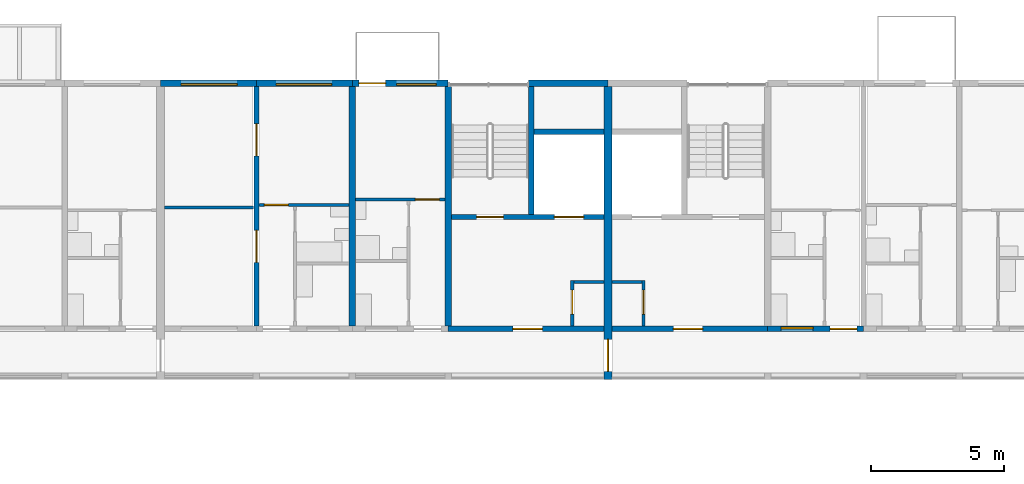
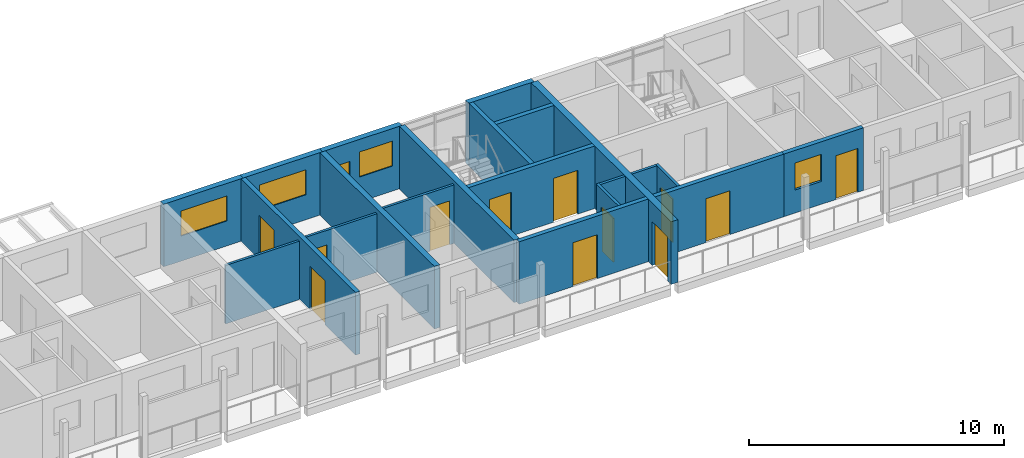
# One storey, part 64 of 122: 21 walls, 13 doors, 4 windows, 17 openings.
"""IFC4 building model written with IfcOpenShell, lengths in metres."""

from ifc_helpers import new_model, si_unit, direction, frame, frame_2d, origin, place, context, subcontext, project, spatial, rectangle, extrude, material, layer, layer_set, type_object, element, fill, save


model = new_model("IFC4")

# Units and contexts
model_context = context("Model", 3, precision=1e-05, world=origin(), true_north=direction((0.0, 1.0)))
body_context = subcontext(model_context, "Body", "Model", "MODEL_VIEW")
ifc_project = project(units=[si_unit("LENGTHUNIT", "METRE"), si_unit("AREAUNIT", "SQUARE_METRE"), si_unit("VOLUMEUNIT", "CUBIC_METRE"), si_unit("PLANEANGLEUNIT", "RADIAN"), si_unit("MASSUNIT", "GRAM", prefix="KILO")], contexts=[model_context])

# Site, building, storey
site_placement = place(None, origin())
site = spatial("IfcSite", under=ifc_project, at=site_placement, CompositionType="ELEMENT")
building_placement = place(site_placement, origin())
building = spatial("IfcBuilding", under=site, at=building_placement, Name="Ridgestep Commons", CompositionType="ELEMENT")
storey_placement = place(building_placement, frame((0.0, 0.0, 3.0)))
storey = spatial("IfcBuildingStorey", under=building, at=storey_placement, Name="L01", CompositionType="ELEMENT", Elevation=3.0)

# Wall
ifc_material_1 = material(Name="Concrete C30/37", Category="concrete")
ifc_layer_1 = layer(ifc_material_1, 0.25)
ifc_layer_set_1 = layer_set([ifc_layer_1], Name="Core cross wall 250")
wall_type_1 = type_object("IfcWallType", Name="Core cross wall 250", PredefinedType="SHEAR", material=ifc_layer_set_1)
wall_1_placement = place(storey_placement, frame((73.199951171875, 68.0, 0.0), z_axis=(0.0, 0.0, 1.0), x_axis=(0.0, 1.0, 0.0)))
element("IfcWall", 1, at=wall_1_placement, inside=storey, type_object=wall_type_1, Name="Cross wall B-01-0732", PredefinedType="SHEAR", context=body_context, shape_type="SweptSolid", body=[
    extrude(rectangle(XDim=9.0, YDim=0.25, at=frame_2d((4.5, 0.0))), origin(), (0.0, 0.0, 1.0), 3.0),
])

# Wall, opening, door
ifc_material_2 = material(Name="Concrete C30/37", Category="concrete")
ifc_layer_2 = layer(ifc_material_2, 0.199951171875)
ifc_layer_set_2 = layer_set([ifc_layer_2], Name="Core south wall 200")
wall_type_2 = type_object("IfcWallType", Name="Core south wall 200", PredefinedType="SHEAR", material=ifc_layer_set_2)
wall_2_placement = place(storey_placement, frame((73.199951171875, 67.89990234375, 0.0), z_axis=(0.0, 0.0, 1.0), x_axis=(1.0, 0.0, 0.0)))
wall_2 = element("IfcWall", 2, at=wall_2_placement, inside=storey, type_object=wall_type_2, Name="Core south wall B4C L01", PredefinedType="SHEAR", context=body_context, shape_type="SweptSolid", body=[
    extrude(rectangle(XDim=5.85009765625, YDim=0.199951171875, at=frame_2d((2.925048828125, 0.0))), origin(), (0.0, 0.0, 1.0), 3.0),
])
opening_1_placement = place(wall_2_placement, frame((2.4375, 0.0, 0.0)))
opening_1 = element("IfcOpeningElement", 3, at=opening_1_placement, cuts=wall_2, Name="Opening B4C/01/1", PredefinedType="OPENING", context=body_context, shape_type="SweptSolid", body=[
    extrude(rectangle(XDim=1.10009765625, YDim=2.10009765625, at=frame_2d((0.550048828125, 1.050048828125))), frame((0.0, 0.10986328125, 0.0), z_axis=(0.0, -1.0, 0.0), x_axis=(1.0, 0.0, 0.0)), (0.0, 0.0, 1.0), 0.219970703125),
])
ifc_material_3 = material(Name="Steel fire door", Category="steel")
door_type_1 = type_object("IfcDoorType", Name="Lobby door 1100 x 2100 FD60", OperationType="NOTDEFINED", PredefinedType="DOOR", material=ifc_material_3)
door_1_placement = place(opening_1_placement, origin())
door_1 = element("IfcDoor", 4, at=door_1_placement, inside=storey, type_object=door_type_1, Name="Lobby door B4C/01/1", OperationType="SINGLE_SWING_LEFT", OverallHeight=2.10009765625, OverallWidth=1.10009765625, PredefinedType="DOOR", context=body_context, shape_type="SweptSolid", body=[
    extrude(rectangle(XDim=1.10009765625, YDim=2.10009765625, at=frame_2d((0.550048828125, 1.050048828125))), frame((0.0, 0.02490234375, 0.0), z_axis=(0.0, -1.0, 0.0), x_axis=(1.0, 0.0, 0.0)), (0.0, 0.0, 1.0), 0.050048828125),
])
fill(opening_1, door_1)

wall_3_placement = place(storey_placement, frame((79.35009765625, 67.89990234375, 0.0), z_axis=(0.0, 0.0, 1.0), x_axis=(1.0, 0.0, 0.0)))
wall_3 = element("IfcWall", 5, at=wall_3_placement, inside=storey, type_object=wall_type_2, Name="Core south wall B5C L01", PredefinedType="SHEAR", context=body_context, shape_type="SweptSolid", body=[
    extrude(rectangle(XDim=5.849853515625, YDim=0.199951171875, at=frame_2d((2.9248046875, 0.0))), origin(), (0.0, 0.0, 1.0), 3.0),
])
opening_2_placement = place(wall_3_placement, frame((2.3125, 0.0, 0.0)))
opening_2 = element("IfcOpeningElement", 6, at=opening_2_placement, cuts=wall_3, Name="Opening B5C/01/1", PredefinedType="OPENING", context=body_context, shape_type="SweptSolid", body=[
    extrude(rectangle(XDim=1.10009765625, YDim=2.10009765625, at=frame_2d((0.550048828125, 1.050048828125))), frame((0.0, 0.10986328125, 0.0), z_axis=(0.0, -1.0, 0.0), x_axis=(1.0, 0.0, 0.0)), (0.0, 0.0, 1.0), 0.219970703125),
])
door_2_placement = place(opening_2_placement, origin())
door_2 = element("IfcDoor", 7, at=door_2_placement, inside=storey, type_object=door_type_1, Name="Lobby door B5C/01/1", OperationType="SINGLE_SWING_LEFT", OverallHeight=2.10009765625, OverallWidth=1.10009765625, PredefinedType="DOOR", context=body_context, shape_type="SweptSolid", body=[
    extrude(rectangle(XDim=1.10009765625, YDim=2.10009765625, at=frame_2d((0.550048828125, 1.050048828125))), frame((0.0, 0.02490234375, 0.0), z_axis=(0.0, -1.0, 0.0), x_axis=(1.0, 0.0, 0.0)), (0.0, 0.0, 1.0), 0.050048828125),
])
fill(opening_2, door_2)

ifc_material_4 = material(Name="Concrete C30/37", Category="concrete")
ifc_layer_3 = layer(ifc_material_4, 0.1201171875)
ifc_layer_set_3 = layer_set([ifc_layer_3], Name="Core wall 120")
wall_type_3 = type_object("IfcWallType", Name="Core wall 120", PredefinedType="SHEAR", material=ifc_layer_set_3)
wall_4_placement = place(storey_placement, frame((77.860107421875, 68.0, 0.0), z_axis=(0.0, 0.0, 1.0), x_axis=(0.0, 1.0, 0.0)))
wall_4 = element("IfcWall", 8, at=wall_4_placement, inside=storey, type_object=wall_type_3, Name="Core riser w wall B4C L01", PredefinedType="SHEAR", context=body_context, shape_type="SweptSolid", body=[
    extrude(rectangle(XDim=1.719970703125, YDim=0.1201171875, at=frame_2d((0.85986328125, 0.0))), origin(), (0.0, 0.0, 1.0), 3.0),
])
opening_3_placement = place(wall_4_placement, frame((0.449951171875, 0.0, 0.0)))
opening_3 = element("IfcOpeningElement", 9, at=opening_3_placement, cuts=wall_4, Name="Opening B4C/01/4", PredefinedType="OPENING", context=body_context, shape_type="SweptSolid", body=[
    extrude(rectangle(XDim=0.89990234375, YDim=2.10009765625, at=frame_2d((0.449951171875, 1.050048828125))), frame((0.0, 0.070068359375, 0.0), z_axis=(0.0, -1.0, 0.0), x_axis=(1.0, 0.0, 0.0)), (0.0, 0.0, 1.0), 0.14013671875),
])
ifc_material_5 = material(Name="Steel fire door", Category="steel")
door_type_2 = type_object("IfcDoorType", Name="Riser door 900 x 2100 FD60", OperationType="NOTDEFINED", PredefinedType="DOOR", material=ifc_material_5)
door_3_placement = place(opening_3_placement, origin())
door_3 = element("IfcDoor", 10, at=door_3_placement, inside=storey, type_object=door_type_2, Name="Riser door B4C/01/4", OperationType="SINGLE_SWING_LEFT", OverallHeight=2.10009765625, OverallWidth=0.89990234375, PredefinedType="DOOR", context=body_context, shape_type="SweptSolid", body=[
    extrude(rectangle(XDim=0.89990234375, YDim=2.10009765625, at=frame_2d((0.449951171875, 1.050048828125))), frame((0.0, 0.02490234375, 0.0), z_axis=(0.0, -1.0, 0.0), x_axis=(1.0, 0.0, 0.0)), (0.0, 0.0, 1.0), 0.050048828125),
])
fill(opening_3, door_3)

# Wall
wall_5_placement = place(storey_placement, frame((77.919921875, 69.659912109375, 0.0), z_axis=(0.0, 0.0, 1.0), x_axis=(1.0, 0.0, 0.0)))
element("IfcWall", 11, at=wall_5_placement, inside=storey, type_object=wall_type_3, Name="Core riser n wall B4C L01", PredefinedType="SHEAR", context=body_context, shape_type="SweptSolid", body=[
    extrude(rectangle(XDim=1.130126953125, YDim=0.1201171875, at=frame_2d((0.56494140625, 0.0))), origin(), (0.0, 0.0, 1.0), 3.0),
])

# Wall, opening, door
wall_6_placement = place(storey_placement, frame((80.5400390625, 68.0, 0.0), z_axis=(0.0, 0.0, 1.0), x_axis=(0.0, 1.0, 0.0)))
wall_6 = element("IfcWall", 12, at=wall_6_placement, inside=storey, type_object=wall_type_3, Name="Core riser w wall B5C L01", PredefinedType="SHEAR", context=body_context, shape_type="SweptSolid", body=[
    extrude(rectangle(XDim=1.719970703125, YDim=0.1201171875, at=frame_2d((0.85986328125, 0.0))), origin(), (0.0, 0.0, 1.0), 3.0),
])
opening_4_placement = place(wall_6_placement, frame((0.449951171875, 0.0, 0.0)))
opening_4 = element("IfcOpeningElement", 13, at=opening_4_placement, cuts=wall_6, Name="Opening B5C/01/4", PredefinedType="OPENING", context=body_context, shape_type="SweptSolid", body=[
    extrude(rectangle(XDim=0.89990234375, YDim=2.10009765625, at=frame_2d((0.449951171875, 1.050048828125))), frame((0.0, 0.070068359375, 0.0), z_axis=(0.0, -1.0, 0.0), x_axis=(1.0, 0.0, 0.0)), (0.0, 0.0, 1.0), 0.14013671875),
])
door_4_placement = place(opening_4_placement, origin())
door_4 = element("IfcDoor", 14, at=door_4_placement, inside=storey, type_object=door_type_2, Name="Riser door B5C/01/4", OperationType="SINGLE_SWING_RIGHT", OverallHeight=2.10009765625, OverallWidth=0.89990234375, PredefinedType="DOOR", context=body_context, shape_type="SweptSolid", body=[
    extrude(rectangle(XDim=0.89990234375, YDim=2.10009765625, at=frame_2d((0.449951171875, 1.050048828125))), frame((0.0, 0.02490234375, 0.0), z_axis=(0.0, -1.0, 0.0), x_axis=(1.0, 0.0, 0.0)), (0.0, 0.0, 1.0), 0.050048828125),
])
fill(opening_4, door_4)

# Wall
wall_7_placement = place(storey_placement, frame((79.35009765625, 69.659912109375, 0.0), z_axis=(0.0, 0.0, 1.0), x_axis=(1.0, 0.0, 0.0)))
element("IfcWall", 15, at=wall_7_placement, inside=storey, type_object=wall_type_3, Name="Core riser n wall B5C L01", PredefinedType="SHEAR", context=body_context, shape_type="SweptSolid", body=[
    extrude(rectangle(XDim=1.1298828125, YDim=0.1201171875, at=frame_2d((0.56494140625, 0.0))), origin(), (0.0, 0.0, 1.0), 3.0),
])

# Wall, openings, doors
ifc_material_6 = material(Name="Concrete C30/37", Category="concrete")
ifc_layer_4 = layer(ifc_material_6, 0.199951171875)
ifc_layer_set_4 = layer_set([ifc_layer_4], Name="Core wall 200")
wall_type_4 = type_object("IfcWallType", Name="Core wall 200", PredefinedType="SHEAR", material=ifc_layer_set_4)
wall_8_placement = place(storey_placement, frame((73.324951171875, 72.10009765625, 0.0), z_axis=(0.0, 0.0, 1.0), x_axis=(1.0, 0.0, 0.0)))
wall_8 = element("IfcWall", 16, at=wall_8_placement, inside=storey, type_object=wall_type_4, Name="Core lobby wall B4C L01", PredefinedType="SHEAR", context=body_context, shape_type="SweptSolid", body=[
    extrude(rectangle(XDim=5.72509765625, YDim=0.199951171875, at=frame_2d((2.862548828125, 0.0))), origin(), (0.0, 0.0, 1.0), 3.0),
])
opening_5_placement = place(wall_8_placement, frame((0.949951171875, 0.0, 0.0)))
opening_5 = element("IfcOpeningElement", 17, at=opening_5_placement, cuts=wall_8, Name="Opening B4C/01/2", PredefinedType="OPENING", context=body_context, shape_type="SweptSolid", body=[
    extrude(rectangle(XDim=1.0, YDim=2.10009765625, at=frame_2d((0.5, 1.050048828125))), frame((0.0, 0.10986328125, 0.0), z_axis=(0.0, -1.0, 0.0), x_axis=(1.0, 0.0, 0.0)), (0.0, 0.0, 1.0), 0.219970703125),
])
opening_6_placement = place(wall_8_placement, frame((3.862548828125, 0.0, 0.0)))
opening_6 = element("IfcOpeningElement", 18, at=opening_6_placement, cuts=wall_8, Name="Opening B4C/01/3", PredefinedType="OPENING", context=body_context, shape_type="SweptSolid", body=[
    extrude(rectangle(XDim=1.10009765625, YDim=2.10009765625, at=frame_2d((0.550048828125, 1.050048828125))), frame((0.0, 0.10986328125, 0.0), z_axis=(0.0, -1.0, 0.0), x_axis=(1.0, 0.0, 0.0)), (0.0, 0.0, 1.0), 0.219970703125),
])
ifc_material_7 = material(Name="Stainless steel", Category="steel")
door_type_3 = type_object("IfcDoorType", Name="Lift landing door 1100 x 2100 FD60", OperationType="DOUBLE_DOOR_SLIDING", PredefinedType="DOOR", material=ifc_material_7)
door_5_placement = place(opening_6_placement, origin())
door_5 = element("IfcDoor", 19, at=door_5_placement, inside=storey, type_object=door_type_3, Name="Landing door LD B4C L01", OperationType="DOUBLE_DOOR_SLIDING", OverallHeight=2.10009765625, OverallWidth=1.10009765625, PredefinedType="DOOR", context=body_context, shape_type="SweptSolid", body=[
    extrude(rectangle(XDim=1.10009765625, YDim=2.10009765625, at=frame_2d((0.550048828125, 1.050048828125))), frame((0.0, 0.02490234375, 0.0), z_axis=(0.0, -1.0, 0.0), x_axis=(1.0, 0.0, 0.0)), (0.0, 0.0, 1.0), 0.050048828125),
])
fill(opening_6, door_5)
ifc_material_8 = material(Name="Steel fire door", Category="steel")
door_type_4 = type_object("IfcDoorType", Name="Stair door 1000 x 2100 FD60", OperationType="NOTDEFINED", PredefinedType="DOOR", material=ifc_material_8)
door_6_placement = place(opening_5_placement, origin())
door_6 = element("IfcDoor", 20, at=door_6_placement, inside=storey, type_object=door_type_4, Name="Stair door B4C/01/2", OperationType="SINGLE_SWING_RIGHT", OverallHeight=2.10009765625, OverallWidth=1.0, PredefinedType="DOOR", context=body_context, shape_type="SweptSolid", body=[
    extrude(rectangle(XDim=1.0, YDim=2.10009765625, at=frame_2d((0.5, 1.050048828125))), frame((0.0, 0.02490234375, 0.0), z_axis=(0.0, -1.0, 0.0), x_axis=(1.0, 0.0, 0.0)), (0.0, 0.0, 1.0), 0.050048828125),
])
fill(opening_5, door_6)

# Walls
wall_9_placement = place(storey_placement, frame((76.324951171875, 72.199951171875, 0.0), z_axis=(0.0, 0.0, 1.0), x_axis=(0.0, 1.0, 0.0)))
element("IfcWall", 21, at=wall_9_placement, inside=storey, type_object=wall_type_4, Name="Core stair wall B4C L01", PredefinedType="SHEAR", context=body_context, shape_type="SweptSolid", body=[
    extrude(rectangle(XDim=4.800048828125, YDim=0.199951171875, at=frame_2d((2.39990234375, 0.0))), origin(), (0.0, 0.0, 1.0), 3.0),
])
wall_10_placement = place(storey_placement, frame((76.425048828125, 75.300048828125, 0.0), z_axis=(0.0, 0.0, 1.0), x_axis=(1.0, 0.0, 0.0)))
element("IfcWall", 22, at=wall_10_placement, inside=storey, type_object=wall_type_4, Name="Core duct wall B4C L01", PredefinedType="SHEAR", context=body_context, shape_type="SweptSolid", body=[
    extrude(rectangle(XDim=2.625, YDim=0.199951171875, at=frame_2d((1.3125, 0.0))), origin(), (0.0, 0.0, 1.0), 3.0),
])

# Wall, openings, doors
ifc_material_9 = material(Name="Precast concrete C40/50", Category="concrete")
ifc_layer_5 = layer(ifc_material_9, 0.199951171875)
ifc_layer_set_5 = layer_set([ifc_layer_5], Name="Cross wall 200")
wall_type_5 = type_object("IfcWallType", Name="Cross wall 200", PredefinedType="SHEAR", material=ifc_layer_set_5)
wall_11_placement = place(storey_placement, frame((66.0, 68.0, 0.0), z_axis=(0.0, 0.0, 1.0), x_axis=(0.0, 1.0, 0.0)))
wall_11 = element("IfcWall", 23, at=wall_11_placement, inside=storey, type_object=wall_type_5, Name="Cross wall B-01-0660", PredefinedType="SHEAR", context=body_context, shape_type="SweptSolid", body=[
    extrude(rectangle(XDim=9.0, YDim=0.199951171875, at=frame_2d((4.5, 0.0))), origin(), (0.0, 0.0, 1.0), 3.0),
])
opening_7_placement = place(wall_11_placement, frame((2.39990234375, 0.0, 0.0)))
opening_7 = element("IfcOpeningElement", 24, at=opening_7_placement, cuts=wall_11, Name="Opening B4-01a/5", PredefinedType="OPENING", context=body_context, shape_type="SweptSolid", body=[
    extrude(rectangle(XDim=1.199951171875, YDim=2.10009765625, at=frame_2d((0.60009765625, 1.050048828125))), frame((0.0, 0.10986328125, 0.0), z_axis=(0.0, -1.0, 0.0), x_axis=(1.0, 0.0, 0.0)), (0.0, 0.0, 1.0), 0.219970703125),
])
opening_8_placement = place(wall_11_placement, frame((6.39990234375, 0.0, 0.0)))
opening_8 = element("IfcOpeningElement", 25, at=opening_8_placement, cuts=wall_11, Name="Opening B4-01a/6", PredefinedType="OPENING", context=body_context, shape_type="SweptSolid", body=[
    extrude(rectangle(XDim=1.199951171875, YDim=2.10009765625, at=frame_2d((0.60009765625, 1.050048828125))), frame((0.0, 0.10986328125, 0.0), z_axis=(0.0, -1.0, 0.0), x_axis=(1.0, 0.0, 0.0)), (0.0, 0.0, 1.0), 0.219970703125),
])
ifc_material_10 = material(Name="Timber door leaf", Category="wood")
door_type_5 = type_object("IfcDoorType", Name="Double door 1200 x 2100", OperationType="DOUBLE_DOOR_SINGLE_SWING", PredefinedType="DOOR", material=ifc_material_10)
door_7_placement = place(opening_7_placement, origin())
door_7 = element("IfcDoor", 26, at=door_7_placement, inside=storey, type_object=door_type_5, Name="Double door B4-01a/5", OperationType="DOUBLE_DOOR_SINGLE_SWING", OverallHeight=2.10009765625, OverallWidth=1.199951171875, PredefinedType="DOOR", context=body_context, shape_type="SweptSolid", body=[
    extrude(rectangle(XDim=1.199951171875, YDim=2.10009765625, at=frame_2d((0.60009765625, 1.050048828125))), frame((0.0, 0.02490234375, 0.0), z_axis=(0.0, -1.0, 0.0), x_axis=(1.0, 0.0, 0.0)), (0.0, 0.0, 1.0), 0.050048828125),
])
fill(opening_7, door_7)
door_8_placement = place(opening_8_placement, origin())
door_8 = element("IfcDoor", 27, at=door_8_placement, inside=storey, type_object=door_type_5, Name="Double door B4-01a/6", OperationType="DOUBLE_DOOR_SINGLE_SWING", OverallHeight=2.10009765625, OverallWidth=1.199951171875, PredefinedType="DOOR", context=body_context, shape_type="SweptSolid", body=[
    extrude(rectangle(XDim=1.199951171875, YDim=2.10009765625, at=frame_2d((0.60009765625, 1.050048828125))), frame((0.0, 0.02490234375, 0.0), z_axis=(0.0, -1.0, 0.0), x_axis=(1.0, 0.0, 0.0)), (0.0, 0.0, 1.0), 0.050048828125),
])
fill(opening_8, door_8)

# Wall
ifc_material_11 = material(Name="Precast concrete C40/50", Category="concrete")
ifc_layer_6 = layer(ifc_material_11, 0.25)
ifc_layer_set_6 = layer_set([ifc_layer_6], Name="Cross wall 250")
wall_type_6 = type_object("IfcWallType", Name="Cross wall 250", PredefinedType="SHEAR", material=ifc_layer_set_6)
wall_12_placement = place(storey_placement, frame((69.60009765625, 68.0, 0.0), z_axis=(0.0, 0.0, 1.0), x_axis=(0.0, 1.0, 0.0)))
element("IfcWall", 28, at=wall_12_placement, inside=storey, type_object=wall_type_6, Name="Cross wall B-01-0696", PredefinedType="SHEAR", context=body_context, shape_type="SweptSolid", body=[
    extrude(rectangle(XDim=9.0, YDim=0.25, at=frame_2d((4.5, 0.0))), origin(), (0.0, 0.0, 1.0), 3.0),
])

# Wall, opening, door
ifc_material_12 = material(Name="Precast concrete C40/50", Category="concrete")
ifc_layer_7 = layer(ifc_material_12, 0.300048828125)
ifc_layer_set_7 = layer_set([ifc_layer_7], Name="Division wall 300")
wall_type_7 = type_object("IfcWallType", Name="Division wall 300", PredefinedType="SHEAR", material=ifc_layer_set_7)
wall_13_placement = place(storey_placement, frame((79.199951171875, 66.0, 0.0), z_axis=(0.0, 0.0, 1.0), x_axis=(0.0, 1.0, 0.0)))
wall_13 = element("IfcWall", 29, at=wall_13_placement, inside=storey, type_object=wall_type_7, Name="Cross wall B-01-0792", PredefinedType="SHEAR", context=body_context, shape_type="SweptSolid", body=[
    extrude(rectangle(XDim=11.0, YDim=0.300048828125, at=frame_2d((5.5, 0.0))), origin(), (0.0, 0.0, 1.0), 3.0),
])
opening_9_placement = place(wall_13_placement, frame((0.300048828125, 0.0, 0.0)))
opening_9 = element("IfcOpeningElement", 30, at=opening_9_placement, cuts=wall_13, Name="Opening B/01/G0792", PredefinedType="OPENING", context=body_context, shape_type="SweptSolid", body=[
    extrude(rectangle(XDim=1.199951171875, YDim=2.10009765625, at=frame_2d((0.60009765625, 1.050048828125))), frame((0.0, 0.159912109375, 0.0), z_axis=(0.0, -1.0, 0.0), x_axis=(1.0, 0.0, 0.0)), (0.0, 0.0, 1.0), 0.320068359375),
])
ifc_material_13 = material(Name="Steel fire door", Category="steel")
door_type_6 = type_object("IfcDoorType", Name="Division fire door 1200 x 2100 EI 240", OperationType="DOUBLE_DOOR_SINGLE_SWING", PredefinedType="DOOR", material=ifc_material_13)
door_9_placement = place(opening_9_placement, origin())
door_9 = element("IfcDoor", 31, at=door_9_placement, inside=storey, type_object=door_type_6, Name="Division fire door B/01/G0792", OperationType="DOUBLE_DOOR_SINGLE_SWING", OverallHeight=2.10009765625, OverallWidth=1.199951171875, PredefinedType="DOOR", context=body_context, shape_type="SweptSolid", body=[
    extrude(rectangle(XDim=1.199951171875, YDim=2.10009765625, at=frame_2d((0.60009765625, 1.050048828125))), frame((0.0, 0.02490234375, 0.0), z_axis=(0.0, -1.0, 0.0), x_axis=(1.0, 0.0, 0.0)), (0.0, 0.0, 1.0), 0.050048828125),
])
fill(opening_9, door_9)

# Wall, opening, window
ifc_material_14 = material(Name="Precast concrete C40/50", Category="concrete")
ifc_layer_8 = layer(ifc_material_14, 0.25)
ifc_layer_set_8 = layer_set([ifc_layer_8], Name="North facade panel 250")
wall_type_8 = type_object("IfcWallType", Name="North facade panel 250", PredefinedType="SOLIDWALL", material=ifc_layer_set_8)
wall_14_placement = place(storey_placement, frame((62.39990234375, 77.125, 0.0), z_axis=(0.0, 0.0, 1.0), x_axis=(1.0, 0.0, 0.0)))
wall_14 = element("IfcWall", 32, at=wall_14_placement, inside=storey, type_object=wall_type_8, Name="North panel B4T1 L01", PredefinedType="SOLIDWALL", context=body_context, shape_type="SweptSolid", body=[
    extrude(rectangle(XDim=3.60009765625, YDim=0.25, at=frame_2d((1.800048828125, 0.0))), origin(), (0.0, 0.0, 1.0), 3.0),
])
opening_10_placement = place(wall_14_placement, frame((0.77490234375, 0.0, 1.199951171875)))
opening_10 = element("IfcOpeningElement", 33, at=opening_10_placement, cuts=wall_14, Name="Opening W22", PredefinedType="OPENING", context=body_context, shape_type="SweptSolid", body=[
    extrude(rectangle(XDim=2.10009765625, YDim=1.199951171875, at=frame_2d((1.050048828125, 0.60009765625))), frame((0.0, 0.135009765625, 0.0), z_axis=(0.0, -1.0, 0.0), x_axis=(1.0, 0.0, 0.0)), (0.0, 0.0, 1.0), 0.27001953125),
])
ifc_material_15 = material(Name="Aluminium 6063-T6 and glass", Category="aluminium")
window_type_1 = type_object("IfcWindowType", Name="Flat window 2100 x 1200", PartitioningType="DOUBLE_PANEL_VERTICAL", PredefinedType="WINDOW", material=ifc_material_15)
window_1_placement = place(opening_10_placement, origin())
window_1 = element("IfcWindow", 34, at=window_1_placement, inside=storey, type_object=window_type_1, Name="Window B4-01a 2", OverallHeight=1.199951171875, OverallWidth=2.10009765625, PartitioningType="SINGLE_PANEL", PredefinedType="WINDOW", context=body_context, shape_type="SweptSolid", body=[
    extrude(rectangle(XDim=2.10009765625, YDim=1.199951171875, at=frame_2d((1.050048828125, 0.60009765625))), frame((0.0, -0.02490234375, 0.0), z_axis=(0.0, -1.0, 0.0), x_axis=(1.0, 0.0, 0.0)), (0.0, 0.0, 1.0), 0.06005859375),
])
fill(opening_10, window_1)

wall_15_placement = place(storey_placement, frame((66.0, 77.125, 0.0), z_axis=(0.0, 0.0, 1.0), x_axis=(1.0, 0.0, 0.0)))
wall_15 = element("IfcWall", 35, at=wall_15_placement, inside=storey, type_object=wall_type_8, Name="North panel B4T2 L01", PredefinedType="SOLIDWALL", context=body_context, shape_type="SweptSolid", body=[
    extrude(rectangle(XDim=3.60009765625, YDim=0.25, at=frame_2d((1.800048828125, 0.0))), origin(), (0.0, 0.0, 1.0), 3.0),
])
opening_11_placement = place(wall_15_placement, frame((0.737548828125, 0.0, 1.199951171875)))
opening_11 = element("IfcOpeningElement", 36, at=opening_11_placement, cuts=wall_15, Name="Opening W22", PredefinedType="OPENING", context=body_context, shape_type="SweptSolid", body=[
    extrude(rectangle(XDim=2.10009765625, YDim=1.199951171875, at=frame_2d((1.050048828125, 0.60009765625))), frame((0.0, 0.135009765625, 0.0), z_axis=(0.0, -1.0, 0.0), x_axis=(1.0, 0.0, 0.0)), (0.0, 0.0, 1.0), 0.27001953125),
])
window_2_placement = place(opening_11_placement, origin())
window_2 = element("IfcWindow", 37, at=window_2_placement, inside=storey, type_object=window_type_1, Name="Window B4-01a 4", OverallHeight=1.199951171875, OverallWidth=2.10009765625, PartitioningType="SINGLE_PANEL", PredefinedType="WINDOW", context=body_context, shape_type="SweptSolid", body=[
    extrude(rectangle(XDim=2.10009765625, YDim=1.199951171875, at=frame_2d((1.050048828125, 0.60009765625))), frame((0.0, -0.02490234375, 0.0), z_axis=(0.0, -1.0, 0.0), x_axis=(1.0, 0.0, 0.0)), (0.0, 0.0, 1.0), 0.06005859375),
])
fill(opening_11, window_2)

# Wall, openings, door, window
wall_16_placement = place(storey_placement, frame((69.60009765625, 77.125, 0.0), z_axis=(0.0, 0.0, 1.0), x_axis=(1.0, 0.0, 0.0)))
wall_16 = element("IfcWall", 38, at=wall_16_placement, inside=storey, type_object=wall_type_8, Name="North panel B4T3 L01", PredefinedType="SOLIDWALL", context=body_context, shape_type="SweptSolid", body=[
    extrude(rectangle(XDim=3.599853515625, YDim=0.25, at=frame_2d((1.7998046875, 0.0))), origin(), (0.0, 0.0, 1.0), 3.0),
])
opening_12_placement = place(wall_16_placement, frame((1.66259765625, 0.0, 1.199951171875)))
opening_12 = element("IfcOpeningElement", 39, at=opening_12_placement, cuts=wall_16, Name="Opening W13", PredefinedType="OPENING", context=body_context, shape_type="SweptSolid", body=[
    extrude(rectangle(XDim=1.5, YDim=1.199951171875, at=frame_2d((0.75, 0.60009765625))), frame((0.0, 0.135009765625, 0.0), z_axis=(0.0, -1.0, 0.0), x_axis=(1.0, 0.0, 0.0)), (0.0, 0.0, 1.0), 0.27001953125),
])
opening_13_placement = place(wall_16_placement, frame((0.25, 0.0, 0.0)))
opening_13 = element("IfcOpeningElement", 40, at=opening_13_placement, cuts=wall_16, Name="Opening B4-01b/5", PredefinedType="OPENING", context=body_context, shape_type="SweptSolid", body=[
    extrude(rectangle(XDim=1.0, YDim=2.10009765625, at=frame_2d((0.5, 1.050048828125))), frame((0.0, 0.135009765625, 0.0), z_axis=(0.0, -1.0, 0.0), x_axis=(1.0, 0.0, 0.0)), (0.0, 0.0, 1.0), 0.27001953125),
])
ifc_material_16 = material(Name="Aluminium and glass", Category="aluminium")
door_type_7 = type_object("IfcDoorType", Name="Balcony door 1000 x 2100", OperationType="NOTDEFINED", PredefinedType="DOOR", material=ifc_material_16)
door_10_placement = place(opening_13_placement, origin())
door_10 = element("IfcDoor", 41, at=door_10_placement, inside=storey, type_object=door_type_7, Name="Balcony door B4-01b/5", OperationType="SINGLE_SWING_RIGHT", OverallHeight=2.10009765625, OverallWidth=1.0, PredefinedType="DOOR", context=body_context, shape_type="SweptSolid", body=[
    extrude(rectangle(XDim=1.0, YDim=2.10009765625, at=frame_2d((0.5, 1.050048828125))), frame((0.0, 0.02490234375, 0.0), z_axis=(0.0, -1.0, 0.0), x_axis=(1.0, 0.0, 0.0)), (0.0, 0.0, 1.0), 0.050048828125),
])
fill(opening_13, door_10)
ifc_material_17 = material(Name="Aluminium 6063-T6 and glass", Category="aluminium")
window_type_2 = type_object("IfcWindowType", Name="Flat window 1500 x 1200", PartitioningType="DOUBLE_PANEL_VERTICAL", PredefinedType="WINDOW", material=ifc_material_17)
window_3_placement = place(opening_12_placement, origin())
window_3 = element("IfcWindow", 42, at=window_3_placement, inside=storey, type_object=window_type_2, Name="Window B4-01b 2", OverallHeight=1.199951171875, OverallWidth=1.5, PartitioningType="SINGLE_PANEL", PredefinedType="WINDOW", context=body_context, shape_type="SweptSolid", body=[
    extrude(rectangle(XDim=1.5, YDim=1.199951171875, at=frame_2d((0.75, 0.60009765625))), frame((0.0, -0.02490234375, 0.0), z_axis=(0.0, -1.0, 0.0), x_axis=(1.0, 0.0, 0.0)), (0.0, 0.0, 1.0), 0.06005859375),
])
fill(opening_12, window_3)

# Wall
wall_17_placement = place(storey_placement, frame((76.22509765625, 77.125, 0.0), z_axis=(0.0, 0.0, 1.0), x_axis=(1.0, 0.0, 0.0)))
element("IfcWall", 43, at=wall_17_placement, inside=storey, type_object=wall_type_8, Name="North panel B4C L01", PredefinedType="SOLIDWALL", context=body_context, shape_type="SweptSolid", body=[
    extrude(rectangle(XDim=2.974853515625, YDim=0.25, at=frame_2d((1.4873046875, 0.0))), origin(), (0.0, 0.0, 1.0), 3.0),
])

# Wall, opening, door
ifc_material_18 = material(Name="Common brick 110 mm", Category="masonry")
ifc_layer_9 = layer(ifc_material_18, 0.110107421875)
ifc_layer_set_9 = layer_set([ifc_layer_9], Name="Partition 110")
wall_type_9 = type_object("IfcWallType", Name="Partition 110", PredefinedType="PARTITIONING", material=ifc_layer_set_9)
wall_18_placement = place(storey_placement, frame((66.10009765625, 72.554931640625, 0.0), z_axis=(0.0, 0.0, 1.0), x_axis=(1.0, 0.0, 0.0)))
wall_18 = element("IfcWall", 44, at=wall_18_placement, inside=storey, type_object=wall_type_9, Name="Partition B4-01a", PredefinedType="PARTITIONING", context=body_context, shape_type="SweptSolid", body=[
    extrude(rectangle(XDim=3.375, YDim=0.110107421875, at=frame_2d((1.6875, 0.0))), origin(), (0.0, 0.0, 1.0), 2.800048828125),
])
opening_14_placement = place(wall_18_placement, frame((0.199951171875, 0.0, 0.0)))
opening_14 = element("IfcOpeningElement", 45, at=opening_14_placement, cuts=wall_18, Name="Opening B4-01a/4", PredefinedType="OPENING", context=body_context, shape_type="SweptSolid", body=[
    extrude(rectangle(XDim=0.89990234375, YDim=2.10009765625, at=frame_2d((0.449951171875, 1.050048828125))), frame((0.0, 0.06494140625, 0.0), z_axis=(0.0, -1.0, 0.0), x_axis=(1.0, 0.0, 0.0)), (0.0, 0.0, 1.0), 0.130126953125),
])
ifc_material_19 = material(Name="Timber door leaf", Category="wood")
door_type_8 = type_object("IfcDoorType", Name="Internal door 900 x 2100", OperationType="NOTDEFINED", PredefinedType="DOOR", material=ifc_material_19)
door_11_placement = place(opening_14_placement, origin())
door_11 = element("IfcDoor", 46, at=door_11_placement, inside=storey, type_object=door_type_8, Name="Internal door B4-01a/4", OperationType="SINGLE_SWING_RIGHT", OverallHeight=2.10009765625, OverallWidth=0.89990234375, PredefinedType="DOOR", context=body_context, shape_type="SweptSolid", body=[
    extrude(rectangle(XDim=0.89990234375, YDim=2.10009765625, at=frame_2d((0.449951171875, 1.050048828125))), frame((0.0, 0.02490234375, 0.0), z_axis=(0.0, -1.0, 0.0), x_axis=(1.0, 0.0, 0.0)), (0.0, 0.0, 1.0), 0.050048828125),
])
fill(opening_14, door_11)

# Wall
wall_19_placement = place(storey_placement, frame((62.550048828125, 72.455078125, 0.0), z_axis=(0.0, 0.0, 1.0), x_axis=(1.0, 0.0, 0.0)))
element("IfcWall", 47, at=wall_19_placement, inside=storey, type_object=wall_type_9, Name="Partition B4-01a", PredefinedType="PARTITIONING", context=body_context, shape_type="SweptSolid", body=[
    extrude(rectangle(XDim=3.349853515625, YDim=0.110107421875, at=frame_2d((1.6748046875, 0.0))), origin(), (0.0, 0.0, 1.0), 2.800048828125),
])

# Wall, opening, door
wall_20_placement = place(storey_placement, frame((69.72509765625, 72.7548828125, 0.0), z_axis=(0.0, 0.0, 1.0), x_axis=(1.0, 0.0, 0.0)))
wall_20 = element("IfcWall", 48, at=wall_20_placement, inside=storey, type_object=wall_type_9, Name="Partition B4-01b", PredefinedType="PARTITIONING", context=body_context, shape_type="SweptSolid", body=[
    extrude(rectangle(XDim=3.349853515625, YDim=0.110107421875, at=frame_2d((1.6748046875, 0.0))), origin(), (0.0, 0.0, 1.0), 2.800048828125),
])
opening_15_placement = place(wall_20_placement, frame((2.25, 0.0, 0.0)))
opening_15 = element("IfcOpeningElement", 49, at=opening_15_placement, cuts=wall_20, Name="Opening B4-01b/4", PredefinedType="OPENING", context=body_context, shape_type="SweptSolid", body=[
    extrude(rectangle(XDim=0.89990234375, YDim=2.10009765625, at=frame_2d((0.449951171875, 1.050048828125))), frame((0.0, 0.06494140625, 0.0), z_axis=(0.0, -1.0, 0.0), x_axis=(1.0, 0.0, 0.0)), (0.0, 0.0, 1.0), 0.130126953125),
])
door_12_placement = place(opening_15_placement, origin())
door_12 = element("IfcDoor", 50, at=door_12_placement, inside=storey, type_object=door_type_8, Name="Internal door B4-01b/4", OperationType="SINGLE_SWING_RIGHT", OverallHeight=2.10009765625, OverallWidth=0.89990234375, PredefinedType="DOOR", context=body_context, shape_type="SweptSolid", body=[
    extrude(rectangle(XDim=0.89990234375, YDim=2.10009765625, at=frame_2d((0.449951171875, 1.050048828125))), frame((0.0, 0.02490234375, 0.0), z_axis=(0.0, -1.0, 0.0), x_axis=(1.0, 0.0, 0.0)), (0.0, 0.0, 1.0), 0.050048828125),
])
fill(opening_15, door_12)

# Wall, openings, door, window
ifc_material_20 = material(Name="Precast concrete C40/50", Category="concrete")
ifc_layer_10 = layer(ifc_material_20, 0.199951171875)
ifc_layer_set_10 = layer_set([ifc_layer_10], Name="South facade panel 200")
wall_type_10 = type_object("IfcWallType", Name="South facade panel 200", PredefinedType="SOLIDWALL", material=ifc_layer_set_10)
wall_21_placement = place(storey_placement, frame((85.199951171875, 67.89990234375, 0.0), z_axis=(0.0, 0.0, 1.0), x_axis=(1.0, 0.0, 0.0)))
wall_21 = element("IfcWall", 51, at=wall_21_placement, inside=storey, type_object=wall_type_10, Name="South panel B5T3 L01", PredefinedType="SOLIDWALL", context=body_context, shape_type="SweptSolid", body=[
    extrude(rectangle(XDim=3.60009765625, YDim=0.199951171875, at=frame_2d((1.800048828125, 0.0))), origin(), (0.0, 0.0, 1.0), 3.0),
])
opening_16_placement = place(wall_21_placement, frame((0.507568359375, 0.0, 1.10009765625)))
opening_16 = element("IfcOpeningElement", 52, at=opening_16_placement, cuts=wall_21, Name="Opening W08", PredefinedType="OPENING", context=body_context, shape_type="SweptSolid", body=[
    extrude(rectangle(XDim=1.199951171875, YDim=1.300048828125, at=frame_2d((0.60009765625, 0.64990234375))), frame((0.0, 0.10986328125, 0.0), z_axis=(0.0, -1.0, 0.0), x_axis=(1.0, 0.0, 0.0)), (0.0, 0.0, 1.0), 0.219970703125),
])
opening_17_placement = place(wall_21_placement, frame((2.35009765625, 0.0, 0.0)))
opening_17 = element("IfcOpeningElement", 53, at=opening_17_placement, cuts=wall_21, Name="Opening B5-01c/1", PredefinedType="OPENING", context=body_context, shape_type="SweptSolid", body=[
    extrude(rectangle(XDim=1.0, YDim=2.10009765625, at=frame_2d((0.5, 1.050048828125))), frame((0.0, 0.10986328125, 0.0), z_axis=(0.0, -1.0, 0.0), x_axis=(1.0, 0.0, 0.0)), (0.0, 0.0, 1.0), 0.219970703125),
])
ifc_material_21 = material(Name="Timber door leaf", Category="wood")
door_type_9 = type_object("IfcDoorType", Name="Flat entrance door 1000 x 2100 FD30S", OperationType="NOTDEFINED", PredefinedType="DOOR", material=ifc_material_21)
door_13_placement = place(opening_17_placement, origin())
door_13 = element("IfcDoor", 54, at=door_13_placement, inside=storey, type_object=door_type_9, Name="Flat entrance door B5-01c/1", OperationType="SINGLE_SWING_RIGHT", OverallHeight=2.10009765625, OverallWidth=1.0, PredefinedType="DOOR", context=body_context, shape_type="SweptSolid", body=[
    extrude(rectangle(XDim=1.0, YDim=2.10009765625, at=frame_2d((0.5, 1.050048828125))), frame((0.0, 0.02490234375, 0.0), z_axis=(0.0, -1.0, 0.0), x_axis=(1.0, 0.0, 0.0)), (0.0, 0.0, 1.0), 0.050048828125),
])
fill(opening_17, door_13)
ifc_material_22 = material(Name="Aluminium 6063-T6 and glass", Category="aluminium")
window_type_3 = type_object("IfcWindowType", Name="Flat window 1200 x 1300", PartitioningType="SINGLE_PANEL", PredefinedType="WINDOW", material=ifc_material_22)
window_4_placement = place(opening_16_placement, origin())
window_4 = element("IfcWindow", 55, at=window_4_placement, inside=storey, type_object=window_type_3, Name="Window B5-01c 1", OverallHeight=1.300048828125, OverallWidth=1.199951171875, PartitioningType="SINGLE_PANEL", PredefinedType="WINDOW", context=body_context, shape_type="SweptSolid", body=[
    extrude(rectangle(XDim=1.199951171875, YDim=1.300048828125, at=frame_2d((0.60009765625, 0.64990234375))), frame((0.0, 0.06005859375, 0.0), z_axis=(0.0, -1.0, 0.0), x_axis=(1.0, 0.0, 0.0)), (0.0, 0.0, 1.0), 0.06005859375),
])
fill(opening_16, window_4)

save(model, "model.ifc")
